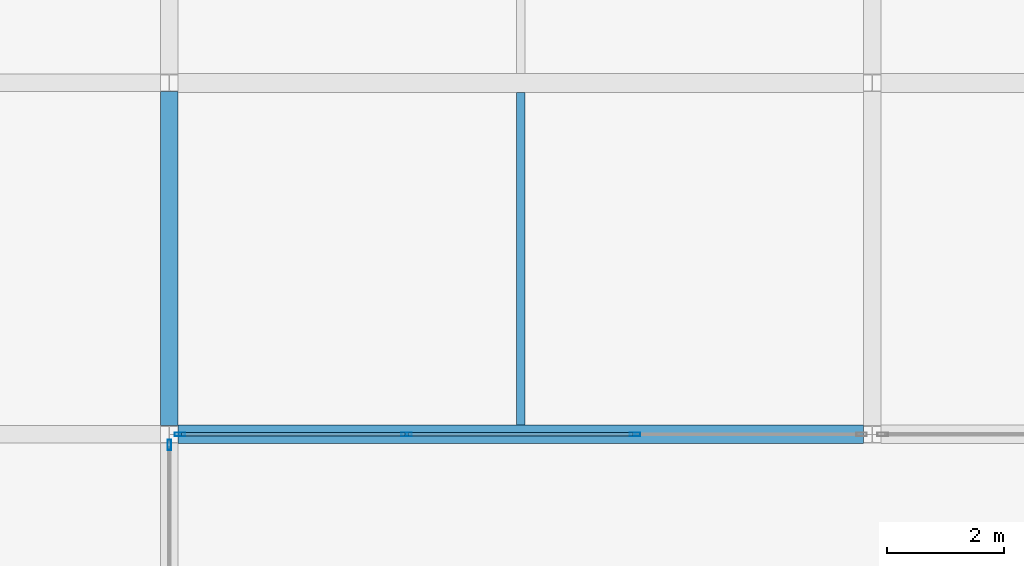
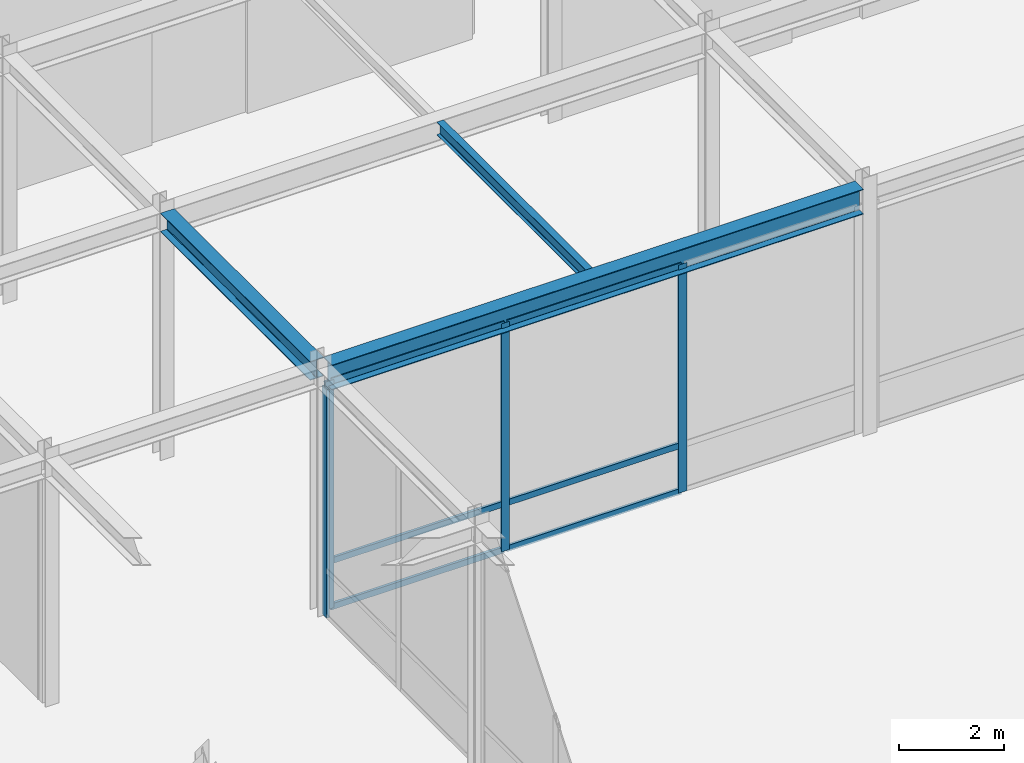
# One storey, part 77 of 108: 10 members, 3 beams, 2 elements without a shape of their own.
"""IFC4 building model written with IfcOpenShell, lengths in metres."""

from ifc_helpers import new_model, si_unit, direction, frame, origin, origin_2d, place, context, subcontext, project, spatial, hollow_rectangle, i_section, extrude, material, layer, layer_set, material_profile, profile_set, type_object, element, aggregate, save


model = new_model("IFC4")

# Units and contexts
model_context = context("Model", 3, precision=1e-05, world=origin(), true_north=direction((0.0, 1.0)))
body_context = subcontext(model_context, "Body", "Model", "MODEL_VIEW")
ifc_project = project(units=[si_unit("LENGTHUNIT", "METRE"), si_unit("AREAUNIT", "SQUARE_METRE"), si_unit("VOLUMEUNIT", "CUBIC_METRE"), si_unit("PLANEANGLEUNIT", "RADIAN"), si_unit("MASSUNIT", "GRAM", prefix="KILO")], contexts=[model_context])

# Site, building, storey
site_placement = place(None, origin())
site = spatial("IfcSite", under=ifc_project, at=site_placement, CompositionType="ELEMENT")
building_placement = place(site_placement, origin())
building = spatial("IfcBuilding", under=site, at=building_placement, Name="Zlatovratsky Civic Hall", CompositionType="ELEMENT")
storey_placement = place(building_placement, frame((0.0, 0.0, 6.0)))
storey = spatial("IfcBuildingStorey", under=building, at=storey_placement, Name="L02", CompositionType="ELEMENT", Elevation=6.0)

# Beams
ifc_material_1 = material(Name="Steel S355", Category="steel")
ifc_material_profile_1 = material_profile(ifc_material_1, i_section(OverallWidth=0.320068359375, OverallDepth=0.58203125, WebThickness=0.011962890625, FlangeThickness=0.01708984375, FilletRadius=0.02392578125, at=origin_2d()), Name="60Sh1")
ifc_profile_set_1 = profile_set([ifc_material_profile_1], Name="Steel S355")
beam_type_1 = type_object("IfcBeamType", Name="Beam_PodiumGirder_60Sh1", PredefinedType="BEAM", material=ifc_profile_set_1)
beam_1_placement = place(storey_placement, frame((120.14990234375, 66.0, 5.468994140625), z_axis=(1.0, 0.0, 0.0), x_axis=(0.0, 1.0, 0.0)))
element("IfcBeam", 1, at=beam_1_placement, inside=storey, type_object=beam_type_1, Name="BM-1880", PredefinedType="BEAM", context=body_context, shape_type="SweptSolid", body=[
    extrude(i_section(OverallWidth=0.320068359375, OverallDepth=0.58203125, WebThickness=0.011962890625, FlangeThickness=0.01708984375, FilletRadius=0.02392578125, at=origin_2d()), origin(), (0.0, 0.0, 1.0), 11.7001953125),
])
ifc_material_profile_2 = material_profile(ifc_material_1, i_section(OverallWidth=0.300048828125, OverallDepth=0.43994140625, WebThickness=0.010986328125, FlangeThickness=0.01806640625, FilletRadius=0.02197265625, at=origin_2d()), Name="45Sh1")
ifc_profile_set_2 = profile_set([ifc_material_profile_2], Name="Steel S355")
beam_type_2 = type_object("IfcBeamType", Name="Beam_TowerLow_45Sh1", PredefinedType="BEAM", material=ifc_profile_set_2)
beam_2_placement = place(storey_placement, frame((120.0, 66.14990234375, 5.5400390625), z_axis=(0.0, 1.0, 0.0), x_axis=(-1.0, 0.0, 0.0)))
element("IfcBeam", 2, at=beam_2_placement, inside=storey, type_object=beam_type_2, Name="BM-2308", PredefinedType="BEAM", context=body_context, shape_type="SweptSolid", body=[
    extrude(i_section(OverallWidth=0.300048828125, OverallDepth=0.43994140625, WebThickness=0.010986328125, FlangeThickness=0.01806640625, FilletRadius=0.02197265625, at=origin_2d()), origin(), (0.0, 0.0, 1.0), 5.7001953125),
])

# Curtain wall, members
ifc_material_2 = material(Name="Anodised bronze aluminium", Category="aluminium")
ifc_layer_1 = layer(ifc_material_2, 0.159912109375)
ifc_layer_set_1 = layer_set([ifc_layer_1], Name="Anodised bronze aluminium")
curtain_wall_type_1 = type_object("IfcCurtainWallType", Name="CurtainWall_Bronze_11700x5310_05", PredefinedType="NOTDEFINED", material=ifc_layer_set_1)
curtain_wall_1_placement = place(storey_placement, origin())
curtain_wall_1 = element("IfcCurtainWall", 3, at=curtain_wall_1_placement, inside=storey, type_object=curtain_wall_type_1, Name="CW-030", PredefinedType="NOTDEFINED")
ifc_material_profile_3 = material_profile(ifc_material_2, hollow_rectangle(XDim=0.06005859375, YDim=0.179931640625, WallThickness=0.00390625, at=origin_2d()), Name="ALU 60x180x4")
ifc_profile_set_3 = profile_set([ifc_material_profile_3], Name="Anodised bronze aluminium")
member_type_1 = type_object("IfcMemberType", Name="CW_Mullion_60x180", PredefinedType="MULLION", material=ifc_profile_set_3)
member_1_placement = place(storey_placement, frame((120.179931640625, 66.0, 0.0), z_axis=(0.0, 0.0, 1.0), x_axis=(0.0, 1.0, 0.0)))
member_1 = element("IfcMember", 4, at=member_1_placement, type_object=member_type_1, Name="CW-05 mullion 1", PredefinedType="MULLION", context=body_context, shape_type="SweptSolid", body=[
    extrude(hollow_rectangle(XDim=0.06005859375, YDim=0.179931640625, WallThickness=0.00390625, at=origin_2d()), origin(), (0.0, 0.0, 1.0), 5.31005859375),
])
member_2_placement = place(storey_placement, frame((124.050048828125, 66.0, 0.0), z_axis=(0.0, 0.0, 1.0), x_axis=(0.0, 1.0, 0.0)))
member_2 = element("IfcMember", 5, at=member_2_placement, type_object=member_type_1, Name="CW-05 mullion 2", PredefinedType="MULLION", context=body_context, shape_type="SweptSolid", body=[
    extrude(hollow_rectangle(XDim=0.06005859375, YDim=0.179931640625, WallThickness=0.00390625, at=origin_2d()), origin(), (0.0, 0.0, 1.0), 5.31005859375),
])
member_3_placement = place(storey_placement, frame((127.949951171875, 66.0, 0.0), z_axis=(0.0, 0.0, 1.0), x_axis=(0.0, 1.0, 0.0)))
member_3 = element("IfcMember", 6, at=member_3_placement, type_object=member_type_1, Name="CW-05 mullion 3", PredefinedType="MULLION", context=body_context, shape_type="SweptSolid", body=[
    extrude(hollow_rectangle(XDim=0.06005859375, YDim=0.179931640625, WallThickness=0.00390625, at=origin_2d()), origin(), (0.0, 0.0, 1.0), 5.31005859375),
])

# Curtain wall, member
ifc_layer_2 = layer(ifc_material_2, 0.159912109375)
ifc_layer_set_2 = layer_set([ifc_layer_2], Name="Anodised bronze aluminium")
curtain_wall_type_2 = type_object("IfcCurtainWallType", Name="CurtainWall_Bronze_5700x5310_06", PredefinedType="NOTDEFINED", material=ifc_layer_set_2)
curtain_wall_2_placement = place(storey_placement, origin())
curtain_wall_2 = element("IfcCurtainWall", 7, at=curtain_wall_2_placement, inside=storey, type_object=curtain_wall_type_2, Name="CW-038", PredefinedType="NOTDEFINED")
member_4_placement = place(storey_placement, frame((120.0, 65.820068359375, 0.0), z_axis=(0.0, 0.0, 1.0), x_axis=(-1.0, 0.0, 0.0)))
member_4 = element("IfcMember", 8, at=member_4_placement, type_object=member_type_1, Name="CW-06 mullion 3", PredefinedType="MULLION", context=body_context, shape_type="SweptSolid", body=[
    extrude(hollow_rectangle(XDim=0.06005859375, YDim=0.179931640625, WallThickness=0.00390625, at=origin_2d()), origin(), (0.0, 0.0, 1.0), 5.31005859375),
])
aggregate(curtain_wall_2, [member_4])

# Member
ifc_material_profile_4 = material_profile(ifc_material_2, hollow_rectangle(XDim=0.06005859375, YDim=0.139892578125, WallThickness=0.00390625, at=origin_2d()), Name="ALU 60x140x4")
ifc_profile_set_4 = profile_set([ifc_material_profile_4], Name="Anodised bronze aluminium")
member_type_2 = type_object("IfcMemberType", Name="CW_Transom_60x140", PredefinedType="USERDEFINED", material=ifc_profile_set_4)
member_5_placement = place(storey_placement, frame((120.2099609375, 66.0, 0.030029296875), z_axis=(1.0, 0.0, 0.0), x_axis=(0.0, 1.0, 0.0)))
member_5 = element("IfcMember", 9, at=member_5_placement, type_object=member_type_2, Name="CW-05 transom 1.1", ObjectType="TRANSOM", PredefinedType="USERDEFINED", context=body_context, shape_type="SweptSolid", body=[
    extrude(hollow_rectangle(XDim=0.06005859375, YDim=0.139892578125, WallThickness=0.00390625, at=origin_2d()), origin(), (0.0, 0.0, 1.0), 3.81005859375),
])

member_6_placement = place(storey_placement, frame((120.2099609375, 66.0, 1.10009765625), z_axis=(1.0, 0.0, 0.0), x_axis=(0.0, 1.0, 0.0)))
member_6 = element("IfcMember", 10, at=member_6_placement, type_object=member_type_2, Name="CW-05 transom 1.2", ObjectType="TRANSOM", PredefinedType="USERDEFINED", context=body_context, shape_type="SweptSolid", body=[
    extrude(hollow_rectangle(XDim=0.06005859375, YDim=0.139892578125, WallThickness=0.00390625, at=origin_2d()), origin(), (0.0, 0.0, 1.0), 3.81005859375),
])

member_7_placement = place(storey_placement, frame((120.2099609375, 66.0, 5.280029296875), z_axis=(1.0, 0.0, 0.0), x_axis=(0.0, 1.0, 0.0)))
member_7 = element("IfcMember", 11, at=member_7_placement, type_object=member_type_2, Name="CW-05 transom 1.3", ObjectType="TRANSOM", PredefinedType="USERDEFINED", context=body_context, shape_type="SweptSolid", body=[
    extrude(hollow_rectangle(XDim=0.06005859375, YDim=0.139892578125, WallThickness=0.00390625, at=origin_2d()), origin(), (0.0, 0.0, 1.0), 3.81005859375),
])

member_8_placement = place(storey_placement, frame((124.080078125, 66.0, 0.030029296875), z_axis=(1.0, 0.0, 0.0), x_axis=(0.0, 1.0, 0.0)))
member_8 = element("IfcMember", 12, at=member_8_placement, type_object=member_type_2, Name="CW-05 transom 2.1", ObjectType="TRANSOM", PredefinedType="USERDEFINED", context=body_context, shape_type="SweptSolid", body=[
    extrude(hollow_rectangle(XDim=0.06005859375, YDim=0.139892578125, WallThickness=0.00390625, at=origin_2d()), origin(), (0.0, 0.0, 1.0), 3.83984375),
])

member_9_placement = place(storey_placement, frame((124.080078125, 66.0, 1.10009765625), z_axis=(1.0, 0.0, 0.0), x_axis=(0.0, 1.0, 0.0)))
member_9 = element("IfcMember", 13, at=member_9_placement, type_object=member_type_2, Name="CW-05 transom 2.2", ObjectType="TRANSOM", PredefinedType="USERDEFINED", context=body_context, shape_type="SweptSolid", body=[
    extrude(hollow_rectangle(XDim=0.06005859375, YDim=0.139892578125, WallThickness=0.00390625, at=origin_2d()), origin(), (0.0, 0.0, 1.0), 3.83984375),
])

member_10_placement = place(storey_placement, frame((124.080078125, 66.0, 5.280029296875), z_axis=(1.0, 0.0, 0.0), x_axis=(0.0, 1.0, 0.0)))
member_10 = element("IfcMember", 14, at=member_10_placement, type_object=member_type_2, Name="CW-05 transom 2.3", ObjectType="TRANSOM", PredefinedType="USERDEFINED", context=body_context, shape_type="SweptSolid", body=[
    extrude(hollow_rectangle(XDim=0.06005859375, YDim=0.139892578125, WallThickness=0.00390625, at=origin_2d()), origin(), (0.0, 0.0, 1.0), 3.83984375),
])

aggregate(curtain_wall_1, [member_1, member_2, member_3, member_5, member_6, member_7, member_8, member_9, member_10])

# Beam
ifc_material_profile_5 = material_profile(ifc_material_1, i_section(OverallWidth=0.14990234375, OverallDepth=0.300048828125, WebThickness=0.006591796875, FlangeThickness=0.009033203125, FilletRadius=0.012939453125, at=origin_2d()), Name="30B2")
ifc_profile_set_5 = profile_set([ifc_material_profile_5], Name="Steel S355")
beam_type_3 = type_object("IfcBeamType", Name="Joist_Podium_30B2", PredefinedType="JOIST", material=ifc_profile_set_5)
beam_3_placement = place(storey_placement, frame((126.0, 66.159912109375, 5.610107421875), z_axis=(0.0, 1.0, 0.0), x_axis=(-1.0, 0.0, 0.0)))
element("IfcBeam", 15, at=beam_3_placement, inside=storey, type_object=beam_type_3, Name="BM-2422", PredefinedType="JOIST", context=body_context, shape_type="SweptSolid", body=[
    extrude(i_section(OverallWidth=0.14990234375, OverallDepth=0.300048828125, WebThickness=0.006591796875, FlangeThickness=0.009033203125, FilletRadius=0.012939453125, at=origin_2d()), origin(), (0.0, 0.0, 1.0), 5.68017578125),
])

save(model, "model.ifc")
